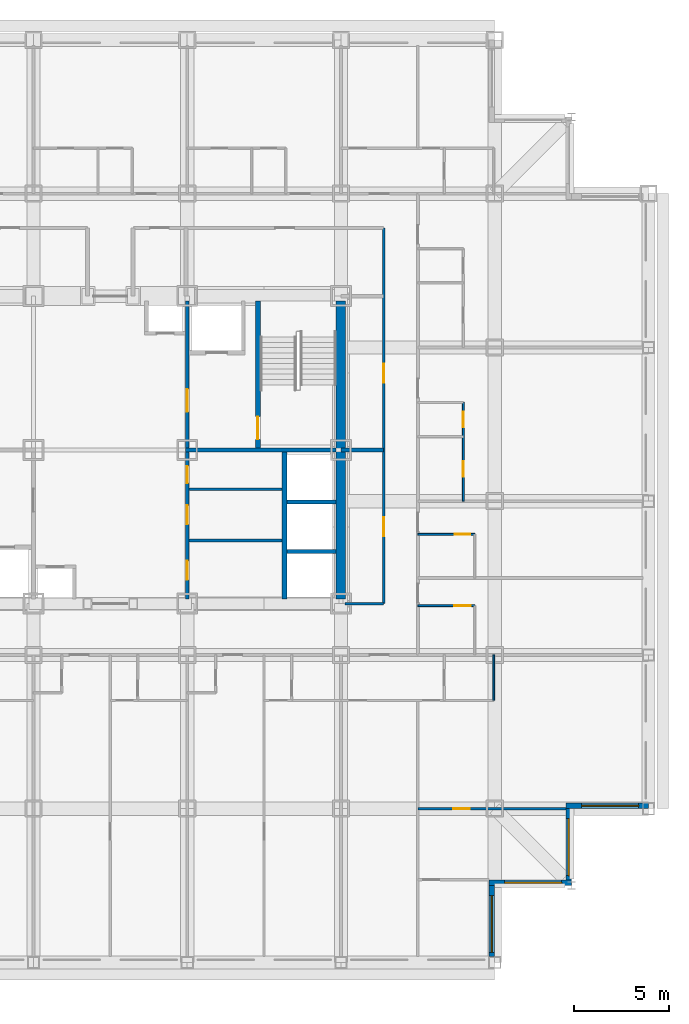
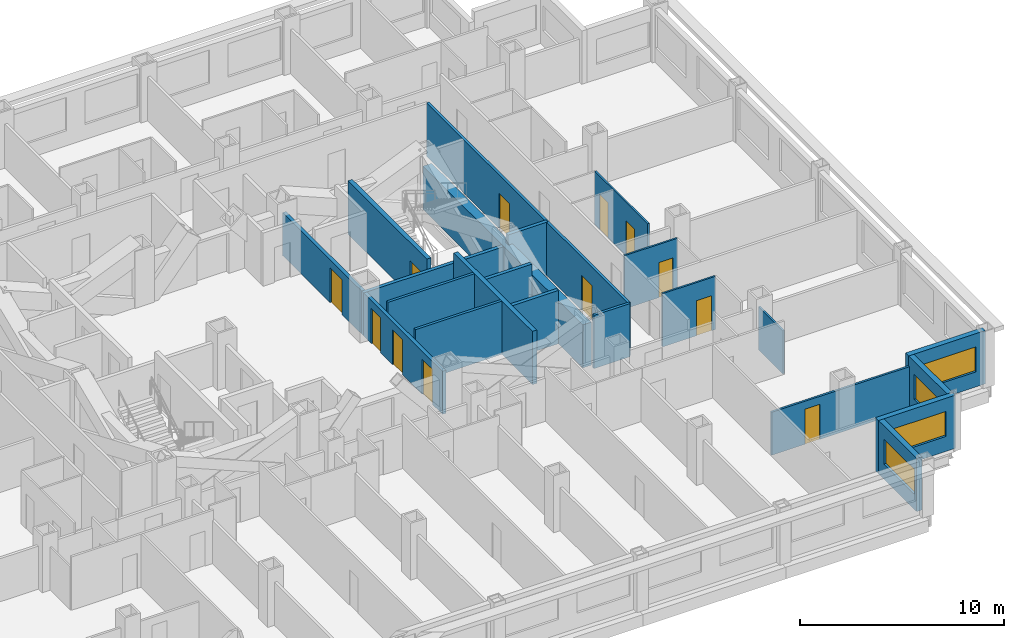
# One storey, part 7 of 12: 22 walls, 12 doors, 4 windows, 16 openings.
"""IFC4 building model written with IfcOpenShell, lengths in metres."""

from ifc_helpers import new_model, si_unit, direction, frame, frame_2d, origin, place, context, subcontext, project, spatial, rectangle, extrude, material, layer, layer_set, type_object, element, fill, save


model = new_model("IFC4")

# Units and contexts
model_context = context("Model", 3, precision=1e-05, world=origin(), true_north=direction((0.0, 1.0)))
body_context = subcontext(model_context, "Body", "Model", "MODEL_VIEW")
ifc_project = project(units=[si_unit("LENGTHUNIT", "METRE"), si_unit("AREAUNIT", "SQUARE_METRE"), si_unit("VOLUMEUNIT", "CUBIC_METRE"), si_unit("PLANEANGLEUNIT", "RADIAN"), si_unit("MASSUNIT", "GRAM", prefix="KILO")], contexts=[model_context])

# Site, building, storey
site_placement = place(None, origin())
site = spatial("IfcSite", under=ifc_project, at=site_placement, CompositionType="ELEMENT")
building_placement = place(site_placement, origin())
building = spatial("IfcBuilding", under=site, at=building_placement, Name="Kopane Lantern Tower", CompositionType="ELEMENT")
storey_placement = place(building_placement, frame((0.0, 0.0, 103.39990234375)))
storey = spatial("IfcBuildingStorey", under=building, at=storey_placement, Name="L25", CompositionType="ELEMENT", Elevation=103.39990234375)

# Wall, opening, door
ifc_material_1 = material(Name="Gypsum board on steel studs", Category="steel")
ifc_layer_1 = layer(ifc_material_1, 0.1201171875)
ifc_layer_set_1 = layer_set([ifc_layer_1], Name="APARTMENT INTERNAL WALL 120")
wall_type_1 = type_object("IfcWallType", Name="APARTMENT INTERNAL WALL 120", PredefinedType="PARTITIONING", material=ifc_layer_set_1)
wall_1_placement = place(storey_placement, frame((44.550048828125, 13.5, 0.0), z_axis=(0.0, 0.0, 1.0), x_axis=(1.0, 0.0, 0.0)))
wall_1 = element("IfcWall", 1, at=wall_1_placement, inside=storey, type_object=wall_type_1, Name="Apartment Internal Wall 120 L25", PredefinedType="PARTITIONING", context=body_context, shape_type="SweptSolid", body=[
    extrude(rectangle(XDim=7.800048828125, YDim=0.1201171875, at=frame_2d((3.89990234375, 0.0))), origin(), (0.0, 0.0, 1.0), 2.577880859375),
])
opening_1_placement = place(wall_1_placement, frame((1.875, 0.0, 0.0)))
opening_1 = element("IfcOpeningElement", 2, at=opening_1_placement, cuts=wall_1, Name="Opening L25-058", PredefinedType="OPENING", context=body_context, shape_type="SweptSolid", body=[
    extrude(rectangle(XDim=0.85009765625, YDim=2.10009765625, at=frame_2d((0.425048828125, 1.050048828125))), frame((0.0, 0.070068359375, 0.0), z_axis=(0.0, -1.0, 0.0), x_axis=(1.0, 0.0, 0.0)), (0.0, 0.0, 1.0), 0.14013671875),
])
ifc_material_2 = material(Name="Timber door set", Category="wood")
door_type_1 = type_object("IfcDoorType", Name="DOOR D4 850x2100", OperationType="SINGLE_SWING_LEFT", PredefinedType="DOOR", material=ifc_material_2)
door_1_placement = place(opening_1_placement, origin())
door_1 = element("IfcDoor", 3, at=door_1_placement, inside=storey, type_object=door_type_1, Name="Door L25-058", OperationType="SINGLE_SWING_LEFT", OverallHeight=2.10009765625, OverallWidth=0.85009765625, PredefinedType="DOOR", context=body_context, shape_type="SweptSolid", body=[
    extrude(rectangle(XDim=0.85009765625, YDim=2.10009765625, at=frame_2d((0.425048828125, 1.050048828125))), frame((0.0, 0.02490234375, 0.0), z_axis=(0.0, -1.0, 0.0), x_axis=(1.0, 0.0, 0.0)), (0.0, 0.0, 1.0), 0.050048828125),
])
fill(opening_1, door_1)

ifc_material_3 = material(Name="Moisture-resistant board on steel studs", Category="steel")
ifc_layer_2 = layer(ifc_material_3, 0.10009765625)
ifc_layer_set_2 = layer_set([ifc_layer_2], Name="BATHROOM WALL 100")
wall_type_2 = type_object("IfcWallType", Name="BATHROOM WALL 100", PredefinedType="PARTITIONING", material=ifc_layer_set_2)
wall_2_placement = place(storey_placement, frame((44.550048828125, 24.199951171875, 0.0), z_axis=(0.0, 0.0, 1.0), x_axis=(1.0, 0.0, 0.0)))
wall_2 = element("IfcWall", 4, at=wall_2_placement, inside=storey, type_object=wall_type_2, Name="Bathroom Wall 100 L25", PredefinedType="PARTITIONING", context=body_context, shape_type="SweptSolid", body=[
    extrude(rectangle(XDim=3.0, YDim=0.10009765625, at=frame_2d((1.5, 0.0))), origin(), (0.0, 0.0, 1.0), 3.190185546875),
])
opening_2_placement = place(wall_2_placement, frame((1.925048828125, 0.0, 0.0)))
opening_2 = element("IfcOpeningElement", 5, at=opening_2_placement, cuts=wall_2, Name="Opening L25-039", PredefinedType="OPENING", context=body_context, shape_type="SweptSolid", body=[
    extrude(rectangle(XDim=0.85009765625, YDim=2.10009765625, at=frame_2d((0.425048828125, 1.050048828125))), frame((0.0, 0.06005859375, 0.0), z_axis=(0.0, -1.0, 0.0), x_axis=(1.0, 0.0, 0.0)), (0.0, 0.0, 1.0), 0.1201171875),
])
door_2_placement = place(opening_2_placement, origin())
door_2 = element("IfcDoor", 6, at=door_2_placement, inside=storey, type_object=door_type_1, Name="Door L25-039", OperationType="SINGLE_SWING_LEFT", OverallHeight=2.10009765625, OverallWidth=0.85009765625, PredefinedType="DOOR", context=body_context, shape_type="SweptSolid", body=[
    extrude(rectangle(XDim=0.85009765625, YDim=2.10009765625, at=frame_2d((0.425048828125, 1.050048828125))), frame((0.0, 0.02490234375, 0.0), z_axis=(0.0, -1.0, 0.0), x_axis=(1.0, 0.0, 0.0)), (0.0, 0.0, 1.0), 0.050048828125),
])
fill(opening_2, door_2)

wall_3_placement = place(storey_placement, frame((44.550048828125, 27.949951171875, 0.0), z_axis=(0.0, 0.0, 1.0), x_axis=(1.0, 0.0, 0.0)))
wall_3 = element("IfcWall", 7, at=wall_3_placement, inside=storey, type_object=wall_type_2, Name="Bathroom Wall 100 L25", PredefinedType="PARTITIONING", context=body_context, shape_type="SweptSolid", body=[
    extrude(rectangle(XDim=3.0, YDim=0.10009765625, at=frame_2d((1.5, 0.0))), origin(), (0.0, 0.0, 1.0), 3.190185546875),
])
opening_3_placement = place(wall_3_placement, frame((1.949951171875, 0.0, 0.0)))
opening_3 = element("IfcOpeningElement", 8, at=opening_3_placement, cuts=wall_3, Name="Opening L25-041", PredefinedType="OPENING", context=body_context, shape_type="SweptSolid", body=[
    extrude(rectangle(XDim=0.800048828125, YDim=2.10009765625, at=frame_2d((0.39990234375, 1.050048828125))), frame((0.0, 0.06005859375, 0.0), z_axis=(0.0, -1.0, 0.0), x_axis=(1.0, 0.0, 0.0)), (0.0, 0.0, 1.0), 0.1201171875),
])
ifc_material_4 = material(Name="Timber door set", Category="wood")
door_type_2 = type_object("IfcDoorType", Name="DOOR D2 800x2100", OperationType="SINGLE_SWING_LEFT", PredefinedType="DOOR", material=ifc_material_4)
door_3_placement = place(opening_3_placement, origin())
door_3 = element("IfcDoor", 9, at=door_3_placement, inside=storey, type_object=door_type_2, Name="Door L25-041", OperationType="SINGLE_SWING_LEFT", OverallHeight=2.10009765625, OverallWidth=0.800048828125, PredefinedType="DOOR", context=body_context, shape_type="SweptSolid", body=[
    extrude(rectangle(XDim=0.800048828125, YDim=2.10009765625, at=frame_2d((0.39990234375, 1.050048828125))), frame((0.0, 0.02490234375, 0.0), z_axis=(0.0, -1.0, 0.0), x_axis=(1.0, 0.0, 0.0)), (0.0, 0.0, 1.0), 0.050048828125),
])
fill(opening_3, door_3)

# Wall, openings, doors
wall_4_placement = place(storey_placement, frame((46.949951171875, 29.699951171875, 0.0), z_axis=(0.0, 0.0, 1.0), x_axis=(0.0, 1.0, 0.0)))
wall_4 = element("IfcWall", 10, at=wall_4_placement, inside=storey, type_object=wall_type_2, Name="Bathroom Wall 100 L25", PredefinedType="PARTITIONING", context=body_context, shape_type="SweptSolid", body=[
    extrude(rectangle(XDim=5.199951171875, YDim=0.10009765625, at=frame_2d((2.60009765625, 0.0))), origin(), (0.0, 0.0, 1.0), 3.190185546875),
])
opening_4_placement = place(wall_4_placement, frame((1.300048828125, 0.0, 0.0)))
opening_4 = element("IfcOpeningElement", 11, at=opening_4_placement, cuts=wall_4, Name="Opening L25-043", PredefinedType="OPENING", context=body_context, shape_type="SweptSolid", body=[
    extrude(rectangle(XDim=0.800048828125, YDim=2.10009765625, at=frame_2d((0.39990234375, 1.050048828125))), frame((0.0, 0.06005859375, 0.0), z_axis=(0.0, -1.0, 0.0), x_axis=(1.0, 0.0, 0.0)), (0.0, 0.0, 1.0), 0.1201171875),
])
opening_5_placement = place(wall_4_placement, frame((3.89990234375, 0.0, 0.0)))
opening_5 = element("IfcOpeningElement", 12, at=opening_5_placement, cuts=wall_4, Name="Opening L25-044", PredefinedType="OPENING", context=body_context, shape_type="SweptSolid", body=[
    extrude(rectangle(XDim=0.800048828125, YDim=2.10009765625, at=frame_2d((0.39990234375, 1.050048828125))), frame((0.0, 0.06005859375, 0.0), z_axis=(0.0, -1.0, 0.0), x_axis=(1.0, 0.0, 0.0)), (0.0, 0.0, 1.0), 0.1201171875),
])
door_4_placement = place(opening_4_placement, origin())
door_4 = element("IfcDoor", 13, at=door_4_placement, inside=storey, type_object=door_type_2, Name="Door L25-043", OperationType="SINGLE_SWING_RIGHT", OverallHeight=2.10009765625, OverallWidth=0.800048828125, PredefinedType="DOOR", context=body_context, shape_type="SweptSolid", body=[
    extrude(rectangle(XDim=0.800048828125, YDim=2.10009765625, at=frame_2d((0.39990234375, 1.050048828125))), frame((0.0, 0.02490234375, 0.0), z_axis=(0.0, -1.0, 0.0), x_axis=(1.0, 0.0, 0.0)), (0.0, 0.0, 1.0), 0.050048828125),
])
fill(opening_4, door_4)
door_5_placement = place(opening_5_placement, origin())
door_5 = element("IfcDoor", 14, at=door_5_placement, inside=storey, type_object=door_type_2, Name="Door L25-044", OperationType="SINGLE_SWING_RIGHT", OverallHeight=2.10009765625, OverallWidth=0.800048828125, PredefinedType="DOOR", context=body_context, shape_type="SweptSolid", body=[
    extrude(rectangle(XDim=0.800048828125, YDim=2.10009765625, at=frame_2d((0.39990234375, 1.050048828125))), frame((0.0, 0.02490234375, 0.0), z_axis=(0.0, -1.0, 0.0), x_axis=(1.0, 0.0, 0.0)), (0.0, 0.0, 1.0), 0.050048828125),
])
fill(opening_5, door_5)

# Walls
wall_5_placement = place(storey_placement, frame((48.550048828125, 21.60009765625, 0.0), z_axis=(0.0, 0.0, 1.0), x_axis=(0.0, -1.0, 0.0)))
element("IfcWall", 15, at=wall_5_placement, inside=storey, type_object=wall_type_2, Name="Bathroom Wall 100 L25", PredefinedType="PARTITIONING", context=body_context, shape_type="SweptSolid", body=[
    extrude(rectangle(XDim=2.400146484375, YDim=0.10009765625, at=frame_2d((1.2001953125, 0.0))), origin(), (0.0, 0.0, 1.0), 2.577880859375),
])
ifc_material_5 = material(Name="Gypsum shaft wall EI 120", Category="gypsum")
ifc_layer_3 = layer(ifc_material_5, 0.5)
ifc_layer_set_3 = layer_set([ifc_layer_3], Name="CORE PERIMETER WALL 500 EI 120")
wall_type_3 = type_object("IfcWallType", Name="CORE PERIMETER WALL 500 EI 120", PredefinedType="SOLIDWALL", material=ifc_layer_set_3)
wall_6_placement = place(storey_placement, frame((40.5, 24.550048828125, 0.0), z_axis=(0.0, 0.0, 1.0), x_axis=(0.0, 1.0, 0.0)))
element("IfcWall", 16, at=wall_6_placement, inside=storey, type_object=wall_type_3, Name="Core shaft wall L25 PE", PredefinedType="SOLIDWALL", context=body_context, shape_type="SweptSolid", body=[
    extrude(rectangle(XDim=15.699951171875, YDim=0.5, at=frame_2d((7.85009765625, 0.0))), origin(), (0.0, 0.0, 1.0), 2.577880859375),
])
ifc_material_6 = material(Name="Gypsum partition EI 60", Category="gypsum")
ifc_layer_4 = layer(ifc_material_6, 0.14990234375)
ifc_layer_set_4 = layer_set([ifc_layer_4], Name="CORE ROOM PARTITION 150 EI 60")
wall_type_4 = type_object("IfcWallType", Name="CORE ROOM PARTITION 150 EI 60", PredefinedType="PARTITIONING", material=ifc_layer_set_4)
for number, where, z_axis, x_axis, name in (
    (17, (32.5, 27.625, 0.0), (0.0, 0.0, 1.0), (1.0, 0.0, 0.0), "Core room partition L25 E1"),
    (18, (32.5, 30.324951171875, 0.0), (0.0, 0.0, 1.0), (1.0, 0.0, 0.0), "Core room partition L25 E2"),
):
    element("IfcWall", number, at=place(storey_placement, frame(where, z_axis=z_axis, x_axis=x_axis)), inside=storey, type_object=wall_type_4, Name=name, PredefinedType="PARTITIONING", context=body_context, shape_type="SweptSolid", body=[
        extrude(rectangle(XDim=4.89990234375, YDim=0.14990234375, at=frame_2d((2.449951171875, 0.0))), origin(), (0.0, 0.0, 1.0), 3.190185546875),
    ])

# Wall, openings, doors
ifc_material_7 = material(Name="Gypsum partition EI 60", Category="gypsum")
ifc_layer_5 = layer(ifc_material_7, 0.199951171875)
ifc_layer_set_5 = layer_set([ifc_layer_5], Name="CORE ROOM WALL 200 EI 60")
wall_type_5 = type_object("IfcWallType", Name="CORE ROOM WALL 200 EI 60", PredefinedType="PARTITIONING", material=ifc_layer_set_5)
wall_7_placement = place(storey_placement, frame((32.39990234375, 24.550048828125, 0.0), z_axis=(0.0, 0.0, 1.0), x_axis=(0.0, 1.0, 0.0)))
wall_7 = element("IfcWall", 19, at=wall_7_placement, inside=storey, type_object=wall_type_5, Name="Core room wall L25 XE", PredefinedType="PARTITIONING", context=body_context, shape_type="SweptSolid", body=[
    extrude(rectangle(XDim=7.75, YDim=0.199951171875, at=frame_2d((3.875, 0.0))), origin(), (0.0, 0.0, 1.0), 2.577880859375),
])
opening_6_placement = place(wall_7_placement, frame((1.0, 0.0, 0.0)))
opening_6 = element("IfcOpeningElement", 20, at=opening_6_placement, cuts=wall_7, Name="Opening 25.C20", PredefinedType="OPENING", context=body_context, shape_type="SweptSolid", body=[
    extrude(rectangle(XDim=1.0, YDim=2.10009765625, at=frame_2d((0.5, 1.050048828125))), frame((0.0, 0.10986328125, 0.0), z_axis=(0.0, -1.0, 0.0), x_axis=(1.0, 0.0, 0.0)), (0.0, 0.0, 1.0), 0.219970703125),
])
opening_7_placement = place(wall_7_placement, frame((3.925048828125, 0.0, 0.0)))
opening_7 = element("IfcOpeningElement", 21, at=opening_7_placement, cuts=wall_7, Name="Opening 25.C21", PredefinedType="OPENING", context=body_context, shape_type="SweptSolid", body=[
    extrude(rectangle(XDim=1.0, YDim=2.10009765625, at=frame_2d((0.5, 1.050048828125))), frame((0.0, 0.10986328125, 0.0), z_axis=(0.0, -1.0, 0.0), x_axis=(1.0, 0.0, 0.0)), (0.0, 0.0, 1.0), 0.219970703125),
])
opening_8_placement = place(wall_7_placement, frame((6.10009765625, 0.0, 0.0)))
opening_8 = element("IfcOpeningElement", 22, at=opening_8_placement, cuts=wall_7, Name="Opening 25.C22", PredefinedType="OPENING", context=body_context, shape_type="SweptSolid", body=[
    extrude(rectangle(XDim=0.89990234375, YDim=2.10009765625, at=frame_2d((0.449951171875, 1.050048828125))), frame((0.0, 0.10986328125, 0.0), z_axis=(0.0, -1.0, 0.0), x_axis=(1.0, 0.0, 0.0)), (0.0, 0.0, 1.0), 0.219970703125),
])
ifc_material_8 = material(Name="Steel door set", Category="steel")
door_type_3 = type_object("IfcDoorType", Name="CORE ROOM DOOR 1000x2100 FD30S", OperationType="SINGLE_SWING_RIGHT", PredefinedType="DOOR", material=ifc_material_8)
door_6_placement = place(opening_6_placement, origin())
door_6 = element("IfcDoor", 23, at=door_6_placement, inside=storey, type_object=door_type_3, Name="Door Butler pantry L25", OperationType="SINGLE_SWING_LEFT", OverallHeight=2.10009765625, OverallWidth=1.0, PredefinedType="DOOR", context=body_context, shape_type="SweptSolid", body=[
    extrude(rectangle(XDim=1.0, YDim=2.10009765625, at=frame_2d((0.5, 1.050048828125))), frame((0.0, 0.02490234375, 0.0), z_axis=(0.0, -1.0, 0.0), x_axis=(1.0, 0.0, 0.0)), (0.0, 0.0, 1.0), 0.050048828125),
])
fill(opening_6, door_6)
door_7_placement = place(opening_7_placement, origin())
door_7 = element("IfcDoor", 24, at=door_7_placement, inside=storey, type_object=door_type_3, Name="Door Ice and vending room L25", OperationType="SINGLE_SWING_LEFT", OverallHeight=2.10009765625, OverallWidth=1.0, PredefinedType="DOOR", context=body_context, shape_type="SweptSolid", body=[
    extrude(rectangle(XDim=1.0, YDim=2.10009765625, at=frame_2d((0.5, 1.050048828125))), frame((0.0, 0.02490234375, 0.0), z_axis=(0.0, -1.0, 0.0), x_axis=(1.0, 0.0, 0.0)), (0.0, 0.0, 1.0), 0.050048828125),
])
fill(opening_7, door_7)
ifc_material_9 = material(Name="Steel door set", Category="steel")
door_type_4 = type_object("IfcDoorType", Name="CORE ROOM DOOR 900x2100 FD60", OperationType="SINGLE_SWING_LEFT", PredefinedType="DOOR", material=ifc_material_9)
door_8_placement = place(opening_8_placement, origin())
door_8 = element("IfcDoor", 25, at=door_8_placement, inside=storey, type_object=door_type_4, Name="Door IT room L25", OperationType="SINGLE_SWING_RIGHT", OverallHeight=2.10009765625, OverallWidth=0.89990234375, PredefinedType="DOOR", context=body_context, shape_type="SweptSolid", body=[
    extrude(rectangle(XDim=0.89990234375, YDim=2.10009765625, at=frame_2d((0.449951171875, 1.050048828125))), frame((0.0, 0.02490234375, 0.0), z_axis=(0.0, -1.0, 0.0), x_axis=(1.0, 0.0, 0.0)), (0.0, 0.0, 1.0), 0.050048828125),
])
fill(opening_8, door_8)

# Wall
ifc_material_10 = material(Name="Gypsum shaft wall EI 120", Category="gypsum")
ifc_layer_6 = layer(ifc_material_10, 0.25)
ifc_layer_set_6 = layer_set([ifc_layer_6], Name="CORE SHAFT WALL 250 EI 120")
wall_type_6 = type_object("IfcWallType", Name="CORE SHAFT WALL 250 EI 120", PredefinedType="SOLIDWALL", material=ifc_layer_set_6)
wall_8_placement = place(storey_placement, frame((37.52490234375, 24.550048828125, 0.0), z_axis=(0.0, 0.0, 1.0), x_axis=(0.0, 1.0, 0.0)))
element("IfcWall", 26, at=wall_8_placement, inside=storey, type_object=wall_type_6, Name="Core shaft wall L25 XLR", PredefinedType="SOLIDWALL", context=body_context, shape_type="SweptSolid", body=[
    extrude(rectangle(XDim=7.75, YDim=0.25, at=frame_2d((3.875, 0.0))), origin(), (0.0, 0.0, 1.0), 3.190185546875),
])

# Wall, opening, door
wall_9_placement = place(storey_placement, frame((36.125, 32.5, 0.0), z_axis=(0.0, 0.0, 1.0), x_axis=(0.0, 1.0, 0.0)))
wall_9 = element("IfcWall", 27, at=wall_9_placement, inside=storey, type_object=wall_type_6, Name="Core shaft wall L25 XST2", PredefinedType="SOLIDWALL", context=body_context, shape_type="SweptSolid", body=[
    extrude(rectangle(XDim=7.75, YDim=0.25, at=frame_2d((3.875, 0.0))), origin(), (0.0, 0.0, 1.0), 3.190185546875),
])
opening_9_placement = place(wall_9_placement, frame((0.449951171875, 0.0, 0.0)))
opening_9 = element("IfcOpeningElement", 28, at=opening_9_placement, cuts=wall_9, Name="Opening 25.SD2", PredefinedType="OPENING", context=body_context, shape_type="SweptSolid", body=[
    extrude(rectangle(XDim=1.199951171875, YDim=2.10009765625, at=frame_2d((0.60009765625, 1.050048828125))), frame((0.0, 0.135009765625, 0.0), z_axis=(0.0, -1.0, 0.0), x_axis=(1.0, 0.0, 0.0)), (0.0, 0.0, 1.0), 0.27001953125),
])
ifc_material_11 = material(Name="Steel door set", Category="steel")
door_type_5 = type_object("IfcDoorType", Name="STAIR DOOR 1200x2100 FD60S", OperationType="SINGLE_SWING_LEFT", PredefinedType="DOOR", material=ifc_material_11)
door_9_placement = place(opening_9_placement, origin())
door_9 = element("IfcDoor", 29, at=door_9_placement, inside=storey, type_object=door_type_5, Name="Stair door ST2 L25", OperationType="SINGLE_SWING_RIGHT", OverallHeight=2.10009765625, OverallWidth=1.199951171875, PredefinedType="DOOR", context=body_context, shape_type="SweptSolid", body=[
    extrude(rectangle(XDim=1.199951171875, YDim=2.10009765625, at=frame_2d((0.60009765625, 1.050048828125))), frame((0.0, 0.02490234375, 0.0), z_axis=(0.0, -1.0, 0.0), x_axis=(1.0, 0.0, 0.0)), (0.0, 0.0, 1.0), 0.050048828125),
])
fill(opening_9, door_9)

# Wall, openings, doors
ifc_material_12 = material(Name="Gypsum board on steel studs", Category="steel")
ifc_layer_7 = layer(ifc_material_12, 0.14990234375)
ifc_layer_set_7 = layer_set([ifc_layer_7], Name="CORRIDOR WALL 150 EI 60")
wall_type_7 = type_object("IfcWallType", Name="CORRIDOR WALL 150 EI 60", PredefinedType="PARTITIONING", material=ifc_layer_set_7)
wall_10_placement = place(storey_placement, frame((42.75, 24.300048828125, 0.0), z_axis=(0.0, 0.0, 1.0), x_axis=(0.0, 1.0, 0.0)))
wall_10 = element("IfcWall", 30, at=wall_10_placement, inside=storey, type_object=wall_type_7, Name="Corridor Wall 150 Ei 60 L25", PredefinedType="PARTITIONING", context=body_context, shape_type="SweptSolid", body=[
    extrude(rectangle(XDim=19.800048828125, YDim=0.14990234375, at=frame_2d((9.89990234375, 0.0))), origin(), (0.0, 0.0, 1.0), 3.190185546875),
])
opening_10_placement = place(wall_10_placement, frame((3.550048828125, 0.0, 0.0)))
opening_10 = element("IfcOpeningElement", 31, at=opening_10_placement, cuts=wall_10, Name="Opening L25-003", PredefinedType="OPENING", context=body_context, shape_type="SweptSolid", body=[
    extrude(rectangle(XDim=1.0, YDim=2.10009765625, at=frame_2d((0.5, 1.050048828125))), frame((0.0, 0.0849609375, 0.0), z_axis=(0.0, -1.0, 0.0), x_axis=(1.0, 0.0, 0.0)), (0.0, 0.0, 1.0), 0.169921875),
])
opening_11_placement = place(wall_10_placement, frame((11.64990234375, 0.0, 0.0)))
opening_11 = element("IfcOpeningElement", 32, at=opening_11_placement, cuts=wall_10, Name="Opening L25-004", PredefinedType="OPENING", context=body_context, shape_type="SweptSolid", body=[
    extrude(rectangle(XDim=1.0, YDim=2.10009765625, at=frame_2d((0.5, 1.050048828125))), frame((0.0, 0.0849609375, 0.0), z_axis=(0.0, -1.0, 0.0), x_axis=(1.0, 0.0, 0.0)), (0.0, 0.0, 1.0), 0.169921875),
])
ifc_material_13 = material(Name="Steel door set", Category="steel")
door_type_6 = type_object("IfcDoorType", Name="DOOR D5 1000x2100 FD60", OperationType="SINGLE_SWING_LEFT", PredefinedType="DOOR", material=ifc_material_13)
door_10_placement = place(opening_10_placement, origin())
door_10 = element("IfcDoor", 33, at=door_10_placement, inside=storey, type_object=door_type_6, Name="Door L25-003", OperationType="SINGLE_SWING_LEFT", OverallHeight=2.10009765625, OverallWidth=1.0, PredefinedType="DOOR", context=body_context, shape_type="SweptSolid", body=[
    extrude(rectangle(XDim=1.0, YDim=2.10009765625, at=frame_2d((0.5, 1.050048828125))), frame((0.0, 0.02490234375, 0.0), z_axis=(0.0, -1.0, 0.0), x_axis=(1.0, 0.0, 0.0)), (0.0, 0.0, 1.0), 0.050048828125),
])
fill(opening_10, door_10)
door_11_placement = place(opening_11_placement, origin())
door_11 = element("IfcDoor", 34, at=door_11_placement, inside=storey, type_object=door_type_6, Name="Door L25-004", OperationType="SINGLE_SWING_RIGHT", OverallHeight=2.10009765625, OverallWidth=1.0, PredefinedType="DOOR", context=body_context, shape_type="SweptSolid", body=[
    extrude(rectangle(XDim=1.0, YDim=2.10009765625, at=frame_2d((0.5, 1.050048828125))), frame((0.0, 0.02490234375, 0.0), z_axis=(0.0, -1.0, 0.0), x_axis=(1.0, 0.0, 0.0)), (0.0, 0.0, 1.0), 0.050048828125),
])
fill(opening_11, door_11)

# Wall
wall_11_placement = place(storey_placement, frame((40.699951171875, 24.300048828125, 0.0), z_axis=(0.0, 0.0, 1.0), x_axis=(1.0, 0.0, 0.0)))
element("IfcWall", 35, at=wall_11_placement, inside=storey, type_object=wall_type_7, Name="Corridor Wall 150 Ei 60 L25", PredefinedType="PARTITIONING", context=body_context, shape_type="SweptSolid", body=[
    extrude(rectangle(XDim=2.050048828125, YDim=0.14990234375, at=frame_2d((1.02490234375, 0.0))), origin(), (0.0, 0.0, 1.0), 3.190185546875),
])

# Wall, opening, window
ifc_material_14 = material(Name="Terracotta rainscreen on light steel framing", Category="masonry")
ifc_layer_8 = layer(ifc_material_14, 0.300048828125)
ifc_layer_set_8 = layer_set([ifc_layer_8], Name="EXTERNAL WALL EW1 300 TERRACOTTA")
wall_type_8 = type_object("IfcWallType", Name="EXTERNAL WALL EW1 300 TERRACOTTA", PredefinedType="SOLIDWALL", material=ifc_layer_set_8)
wall_12_placement = place(storey_placement, frame((48.449951171875, 5.699951171875, 0.0), z_axis=(0.0, 0.0, 1.0), x_axis=(0.0, 1.0, 0.0)))
wall_12 = element("IfcWall", 36, at=wall_12_placement, inside=storey, type_object=wall_type_8, Name="External wall E L25", PredefinedType="SOLIDWALL", context=body_context, shape_type="SweptSolid", body=[
    extrude(rectangle(XDim=3.75, YDim=0.300048828125, at=frame_2d((1.875, 0.0))), origin(), (0.0, 0.0, 1.0), 3.190185546875),
])
opening_12_placement = place(wall_12_placement, frame((0.22509765625, 0.0, 0.89990234375)))
opening_12 = element("IfcOpeningElement", 37, at=opening_12_placement, cuts=wall_12, Name="Opening WR300150", PredefinedType="OPENING", context=body_context, shape_type="SweptSolid", body=[
    extrude(rectangle(XDim=3.0, YDim=1.5, at=frame_2d((1.5, 0.75))), frame((0.0, 0.159912109375, 0.0), z_axis=(0.0, -1.0, 0.0), x_axis=(1.0, 0.0, 0.0)), (0.0, 0.0, 1.0), 0.320068359375),
])
ifc_material_15 = material(Name="Aluminium and clear glass", Category="aluminium")
window_type = type_object("IfcWindowType", Name="RIBBON WINDOW WR300150 3000x1500", PartitioningType="SINGLE_PANEL", PredefinedType="WINDOW", material=ifc_material_15)
window_1_placement = place(opening_12_placement, origin())
window_1 = element("IfcWindow", 38, at=window_1_placement, inside=storey, type_object=window_type, Name="Window E L25", OverallHeight=1.5, OverallWidth=3.0, PartitioningType="SINGLE_PANEL", PredefinedType="WINDOW", context=body_context, shape_type="SweptSolid", body=[
    extrude(rectangle(XDim=3.0, YDim=1.5, at=frame_2d((1.5, 0.75))), frame((0.0, 0.030029296875, 0.0), z_axis=(0.0, -1.0, 0.0), x_axis=(1.0, 0.0, 0.0)), (0.0, 0.0, 1.0), 0.06005859375),
])
fill(opening_12, window_1)

wall_13_placement = place(storey_placement, frame((48.300048828125, 9.60009765625, 0.0), z_axis=(0.0, 0.0, 1.0), x_axis=(1.0, 0.0, 0.0)))
wall_13 = element("IfcWall", 39, at=wall_13_placement, inside=storey, type_object=wall_type_8, Name="External wall S L25", PredefinedType="SOLIDWALL", context=body_context, shape_type="SweptSolid", body=[
    extrude(rectangle(XDim=4.349853515625, YDim=0.300048828125, at=frame_2d((2.1748046875, 0.0))), origin(), (0.0, 0.0, 1.0), 3.190185546875),
])
opening_13_placement = place(wall_13_placement, frame((0.824951171875, 0.0, 0.89990234375)))
opening_13 = element("IfcOpeningElement", 40, at=opening_13_placement, cuts=wall_13, Name="Opening WR300150", PredefinedType="OPENING", context=body_context, shape_type="SweptSolid", body=[
    extrude(rectangle(XDim=3.0, YDim=1.5, at=frame_2d((1.5, 0.75))), frame((0.0, 0.159912109375, 0.0), z_axis=(0.0, -1.0, 0.0), x_axis=(1.0, 0.0, 0.0)), (0.0, 0.0, 1.0), 0.320068359375),
])
window_2_placement = place(opening_13_placement, origin())
window_2 = element("IfcWindow", 41, at=window_2_placement, inside=storey, type_object=window_type, Name="Window S L25", OverallHeight=1.5, OverallWidth=3.0, PartitioningType="SINGLE_PANEL", PredefinedType="WINDOW", context=body_context, shape_type="SweptSolid", body=[
    extrude(rectangle(XDim=3.0, YDim=1.5, at=frame_2d((1.5, 0.75))), frame((0.0, 0.030029296875, 0.0), z_axis=(0.0, -1.0, 0.0), x_axis=(1.0, 0.0, 0.0)), (0.0, 0.0, 1.0), 0.06005859375),
])
fill(opening_13, window_2)

wall_14_placement = place(storey_placement, frame((52.5, 9.75, 0.0), z_axis=(0.0, 0.0, 1.0), x_axis=(0.0, 1.0, 0.0)))
wall_14 = element("IfcWall", 42, at=wall_14_placement, inside=storey, type_object=wall_type_8, Name="External wall E L25", PredefinedType="SOLIDWALL", context=body_context, shape_type="SweptSolid", body=[
    extrude(rectangle(XDim=3.75, YDim=0.300048828125, at=frame_2d((1.875, 0.0))), origin(), (0.0, 0.0, 1.0), 3.190185546875),
])
opening_14_placement = place(wall_14_placement, frame((0.22509765625, 0.0, 0.89990234375)))
opening_14 = element("IfcOpeningElement", 43, at=opening_14_placement, cuts=wall_14, Name="Opening WR300150", PredefinedType="OPENING", context=body_context, shape_type="SweptSolid", body=[
    extrude(rectangle(XDim=3.0, YDim=1.5, at=frame_2d((1.5, 0.75))), frame((0.0, 0.159912109375, 0.0), z_axis=(0.0, -1.0, 0.0), x_axis=(1.0, 0.0, 0.0)), (0.0, 0.0, 1.0), 0.320068359375),
])
window_3_placement = place(opening_14_placement, origin())
window_3 = element("IfcWindow", 44, at=window_3_placement, inside=storey, type_object=window_type, Name="Window E L25", OverallHeight=1.5, OverallWidth=3.0, PartitioningType="SINGLE_PANEL", PredefinedType="WINDOW", context=body_context, shape_type="SweptSolid", body=[
    extrude(rectangle(XDim=3.0, YDim=1.5, at=frame_2d((1.5, 0.75))), frame((0.0, 0.030029296875, 0.0), z_axis=(0.0, -1.0, 0.0), x_axis=(1.0, 0.0, 0.0)), (0.0, 0.0, 1.0), 0.06005859375),
])
fill(opening_14, window_3)

wall_15_placement = place(storey_placement, frame((52.35009765625, 13.64990234375, 0.0), z_axis=(0.0, 0.0, 1.0), x_axis=(1.0, 0.0, 0.0)))
wall_15 = element("IfcWall", 45, at=wall_15_placement, inside=storey, type_object=wall_type_8, Name="External wall S L25", PredefinedType="SOLIDWALL", context=body_context, shape_type="SweptSolid", body=[
    extrude(rectangle(XDim=4.349853515625, YDim=0.300048828125, at=frame_2d((2.1748046875, 0.0))), origin(), (0.0, 0.0, 1.0), 3.190185546875),
])
opening_15_placement = place(wall_15_placement, frame((0.824951171875, 0.0, 0.89990234375)))
opening_15 = element("IfcOpeningElement", 46, at=opening_15_placement, cuts=wall_15, Name="Opening WR300150", PredefinedType="OPENING", context=body_context, shape_type="SweptSolid", body=[
    extrude(rectangle(XDim=3.0, YDim=1.5, at=frame_2d((1.5, 0.75))), frame((0.0, 0.159912109375, 0.0), z_axis=(0.0, -1.0, 0.0), x_axis=(1.0, 0.0, 0.0)), (0.0, 0.0, 1.0), 0.320068359375),
])
window_4_placement = place(opening_15_placement, origin())
window_4 = element("IfcWindow", 47, at=window_4_placement, inside=storey, type_object=window_type, Name="Window S L25", OverallHeight=1.5, OverallWidth=3.0, PartitioningType="SINGLE_PANEL", PredefinedType="WINDOW", context=body_context, shape_type="SweptSolid", body=[
    extrude(rectangle(XDim=3.0, YDim=1.5, at=frame_2d((1.5, 0.75))), frame((0.0, 0.030029296875, 0.0), z_axis=(0.0, -1.0, 0.0), x_axis=(1.0, 0.0, 0.0)), (0.0, 0.0, 1.0), 0.06005859375),
])
fill(opening_15, window_4)

# Walls
ifc_material_16 = material(Name="Concrete masonry", Category="masonry")
ifc_layer_9 = layer(ifc_material_16, 0.199951171875)
ifc_layer_set_9 = layer_set([ifc_layer_9], Name="PLANT ROOM WALL 200 EI 120")
wall_type_9 = type_object("IfcWallType", Name="PLANT ROOM WALL 200 EI 120", PredefinedType="SOLIDWALL", material=ifc_layer_set_9)
wall_16_placement = place(storey_placement, frame((40.5, 32.39990234375, 0.0), z_axis=(0.0, 0.0, 1.0), x_axis=(1.0, 0.0, 0.0)))
element("IfcWall", 48, at=wall_16_placement, inside=storey, type_object=wall_type_9, Name="Plant Room Wall 200 Ei 120 L25", PredefinedType="SOLIDWALL", context=body_context, shape_type="SweptSolid", body=[
    extrude(rectangle(XDim=2.25, YDim=0.199951171875, at=frame_2d((1.125, 0.0))), origin(), (0.0, 0.0, 1.0), 3.190185546875),
])
ifc_material_17 = material(Name="Gypsum shaft wall EI 120", Category="gypsum")
ifc_layer_10 = layer(ifc_material_17, 0.199951171875)
ifc_layer_set_10 = layer_set([ifc_layer_10], Name="SHAFT WALL 200 EI 120")
wall_type_10 = type_object("IfcWallType", Name="SHAFT WALL 200 EI 120", PredefinedType="SOLIDWALL", material=ifc_layer_set_10)
wall_17_placement = place(storey_placement, frame((32.300048828125, 32.39990234375, 0.0), z_axis=(0.0, 0.0, 1.0), x_axis=(1.0, 0.0, 0.0)))
element("IfcWall", 49, at=wall_17_placement, inside=storey, type_object=wall_type_10, Name="Core shaft wall L25 Y324E", PredefinedType="SOLIDWALL", context=body_context, shape_type="SweptSolid", body=[
    extrude(rectangle(XDim=7.949951171875, YDim=0.199951171875, at=frame_2d((3.97509765625, 0.0))), origin(), (0.0, 0.0, 1.0), 2.577880859375),
])

# Wall, opening, door
wall_18_placement = place(storey_placement, frame((32.39990234375, 32.5, 0.0), z_axis=(0.0, 0.0, 1.0), x_axis=(0.0, 1.0, 0.0)))
wall_18 = element("IfcWall", 50, at=wall_18_placement, inside=storey, type_object=wall_type_10, Name="Core shaft wall L25 X324", PredefinedType="SOLIDWALL", context=body_context, shape_type="SweptSolid", body=[
    extrude(rectangle(XDim=7.75, YDim=0.199951171875, at=frame_2d((3.875, 0.0))), origin(), (0.0, 0.0, 1.0), 2.577880859375),
])
opening_16_placement = place(wall_18_placement, frame((1.89990234375, 0.0, 0.0)))
opening_16 = element("IfcOpeningElement", 51, at=opening_16_placement, cuts=wall_18, Name="Opening 25.FL2", PredefinedType="OPENING", context=body_context, shape_type="SweptSolid", body=[
    extrude(rectangle(XDim=1.199951171875, YDim=2.10009765625, at=frame_2d((0.60009765625, 1.050048828125))), frame((0.0, 0.10986328125, 0.0), z_axis=(0.0, -1.0, 0.0), x_axis=(1.0, 0.0, 0.0)), (0.0, 0.0, 1.0), 0.219970703125),
])
ifc_material_18 = material(Name="Steel door set", Category="steel")
door_type_7 = type_object("IfcDoorType", Name="FIREFIGHTING LOBBY DOOR 1200x2100 FD60S", OperationType="SINGLE_SWING_RIGHT", PredefinedType="DOOR", material=ifc_material_18)
door_12_placement = place(opening_16_placement, origin())
door_12 = element("IfcDoor", 52, at=door_12_placement, inside=storey, type_object=door_type_7, Name="Firefighting lobby door FL2 L25", OperationType="SINGLE_SWING_LEFT", OverallHeight=2.10009765625, OverallWidth=1.199951171875, PredefinedType="DOOR", context=body_context, shape_type="SweptSolid", body=[
    extrude(rectangle(XDim=1.199951171875, YDim=2.10009765625, at=frame_2d((0.60009765625, 1.050048828125))), frame((0.0, 0.02490234375, 0.0), z_axis=(0.0, -1.0, 0.0), x_axis=(1.0, 0.0, 0.0)), (0.0, 0.0, 1.0), 0.050048828125),
])
fill(opening_16, door_12)

# Walls
for number, where, z_axis, x_axis, name in (
    (53, (37.64990234375, 27.050048828125, 0.0), (0.0, 0.0, 1.0), (1.0, 0.0, 0.0), "Core shaft wall L25 YLR12"),
    (54, (37.64990234375, 29.64990234375, 0.0), (0.0, 0.0, 1.0), (1.0, 0.0, 0.0), "Core shaft wall L25 YLR23"),
):
    element("IfcWall", number, at=place(storey_placement, frame(where, z_axis=z_axis, x_axis=x_axis)), inside=storey, type_object=wall_type_10, Name=name, PredefinedType="SOLIDWALL", context=body_context, shape_type="SweptSolid", body=[
        extrude(rectangle(XDim=2.60009765625, YDim=0.199951171875, at=frame_2d((1.300048828125, 0.0))), origin(), (0.0, 0.0, 1.0), 3.190185546875),
    ])

save(model, "model.ifc")
